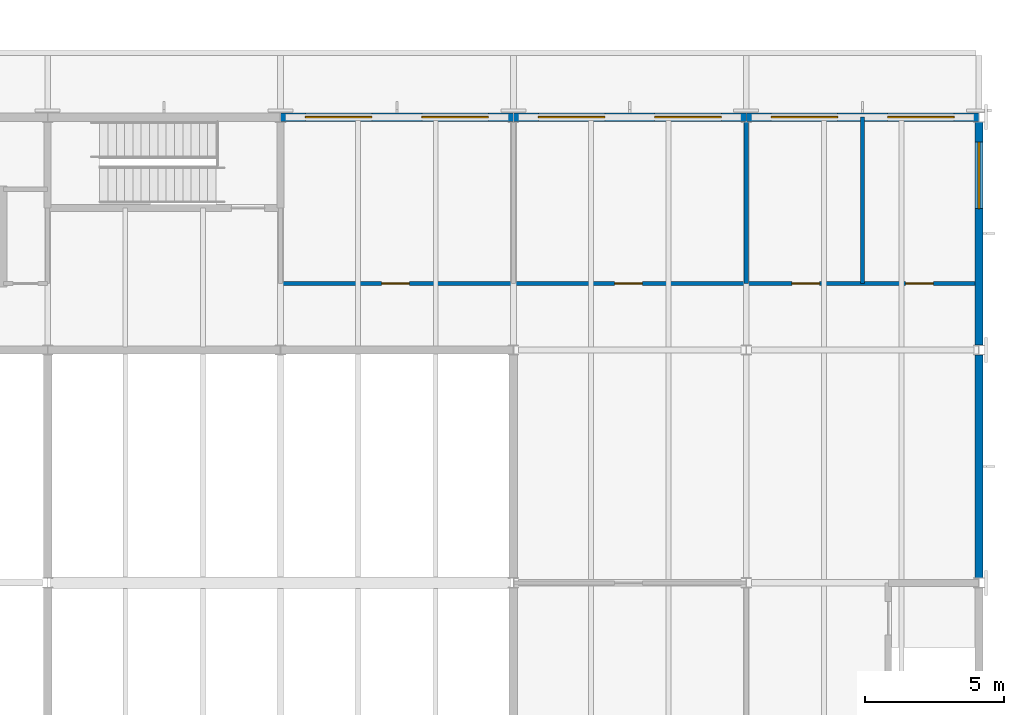
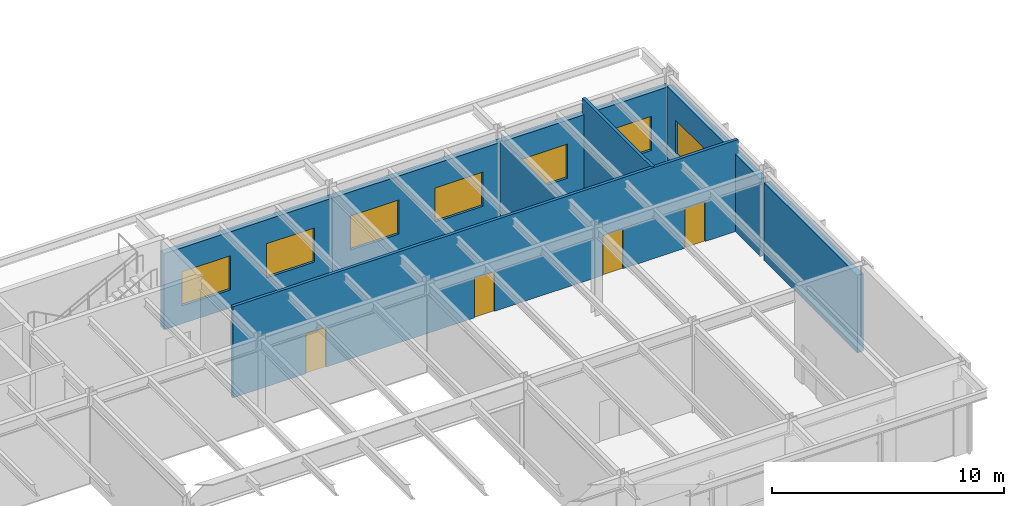
# One storey, part 81 of 116: 8 walls, 7 windows, 4 doors, 11 openings.
"""IFC4 building model written with IfcOpenShell, lengths in metres."""

from ifc_helpers import new_model, si_unit, direction, frame, frame_2d, origin, place, context, subcontext, project, spatial, rectangle, extrude, material, layer, layer_set, type_object, element, fill, save


model = new_model("IFC4")

# Units and contexts
model_context = context("Model", 3, precision=1e-05, world=origin(), true_north=direction((0.0, 1.0)))
body_context = subcontext(model_context, "Body", "Model", "MODEL_VIEW")
ifc_project = project(units=[si_unit("LENGTHUNIT", "METRE"), si_unit("AREAUNIT", "SQUARE_METRE"), si_unit("VOLUMEUNIT", "CUBIC_METRE"), si_unit("PLANEANGLEUNIT", "RADIAN"), si_unit("MASSUNIT", "GRAM", prefix="KILO")], contexts=[model_context])

# Site, building, storey
site_placement = place(None, origin())
site = spatial("IfcSite", under=ifc_project, at=site_placement, CompositionType="ELEMENT")
building_placement = place(site_placement, origin())
building = spatial("IfcBuilding", under=site, at=building_placement, Name="Ljudholm Concert House", CompositionType="ELEMENT")
storey_placement = place(building_placement, frame((0.0, 0.0, 10.199951171875)))
storey = spatial("IfcBuildingStorey", under=building, at=storey_placement, Name="L02", CompositionType="ELEMENT", Elevation=10.199951171875)

# Walls
ifc_material_1 = material(Name="Gypsum board on steel studs", Category="steel")
ifc_layer_1 = layer(ifc_material_1, 0.14990234375)
ifc_layer_set_1 = layer_set([ifc_layer_1], Name="Gypsum board on steel studs")
wall_type_1 = type_object("IfcWallType", Name="GYPSUM PARTITION 150", PredefinedType="PARTITIONING", material=ifc_layer_set_1)
wall_1_placement = place(storey_placement, frame((113.199951171875, 124.0, 0.0), z_axis=(0.0, 0.0, 1.0), x_axis=(0.0, 1.0, 0.0)))
element("IfcWall", 1, at=wall_1_placement, inside=storey, type_object=wall_type_1, Name="Partition", PredefinedType="PARTITIONING", context=body_context, shape_type="SweptSolid", body=[
    extrude(rectangle(XDim=5.822265625, YDim=0.14990234375, at=frame_2d((2.9111328125, 0.0))), origin(), (0.0, 0.0, 1.0), 4.086669921875),
])
wall_2_placement = place(storey_placement, frame((117.39990234375, 124.0, 0.0), z_axis=(0.0, 0.0, 1.0), x_axis=(0.0, 1.0, 0.0)))
element("IfcWall", 2, at=wall_2_placement, inside=storey, type_object=wall_type_1, Name="Partition", PredefinedType="PARTITIONING", context=body_context, shape_type="SweptSolid", body=[
    extrude(rectangle(XDim=6.0, YDim=0.14990234375, at=frame_2d((3.0, 0.0))), origin(), (0.0, 0.0, 1.0), 4.800048828125),
])

# Wall, openings, doors
wall_3_placement = place(storey_placement, frame((96.39990234375, 124.0, 0.0), z_axis=(0.0, 0.0, 1.0), x_axis=(1.0, 0.0, 0.0)))
wall_3 = element("IfcWall", 3, at=wall_3_placement, inside=storey, type_object=wall_type_1, Name="Partition", PredefinedType="PARTITIONING", context=body_context, shape_type="SweptSolid", body=[
    extrude(rectangle(XDim=25.2001953125, YDim=0.14990234375, at=frame_2d((12.60009765625, 0.0))), origin(), (0.0, 0.0, 1.0), 4.800048828125),
])
opening_1_placement = place(wall_3_placement, frame((3.64990234375, 0.0, 0.0)))
opening_1 = element("IfcOpeningElement", 4, at=opening_1_placement, cuts=wall_3, Name="Opening D-R02-013", PredefinedType="OPENING", context=body_context, shape_type="SweptSolid", body=[
    extrude(rectangle(XDim=1.0, YDim=2.10009765625, at=frame_2d((0.5, 1.050048828125))), frame((0.0, 0.0849609375, 0.0), z_axis=(0.0, -1.0, 0.0), x_axis=(1.0, 0.0, 0.0)), (0.0, 0.0, 1.0), 0.169921875),
])
opening_2_placement = place(wall_3_placement, frame((12.050048828125, 0.0, 0.0)))
opening_2 = element("IfcOpeningElement", 5, at=opening_2_placement, cuts=wall_3, Name="Opening D-R02-014", PredefinedType="OPENING", context=body_context, shape_type="SweptSolid", body=[
    extrude(rectangle(XDim=1.0, YDim=2.10009765625, at=frame_2d((0.5, 1.050048828125))), frame((0.0, 0.0849609375, 0.0), z_axis=(0.0, -1.0, 0.0), x_axis=(1.0, 0.0, 0.0)), (0.0, 0.0, 1.0), 0.169921875),
])
opening_3_placement = place(wall_3_placement, frame((18.449951171875, 0.0, 0.0)))
opening_3 = element("IfcOpeningElement", 6, at=opening_3_placement, cuts=wall_3, Name="Opening D-R02-015", PredefinedType="OPENING", context=body_context, shape_type="SweptSolid", body=[
    extrude(rectangle(XDim=1.0, YDim=2.10009765625, at=frame_2d((0.5, 1.050048828125))), frame((0.0, 0.0849609375, 0.0), z_axis=(0.0, -1.0, 0.0), x_axis=(1.0, 0.0, 0.0)), (0.0, 0.0, 1.0), 0.169921875),
])
opening_4_placement = place(wall_3_placement, frame((22.550048828125, 0.0, 0.0)))
opening_4 = element("IfcOpeningElement", 7, at=opening_4_placement, cuts=wall_3, Name="Opening D-R02-016", PredefinedType="OPENING", context=body_context, shape_type="SweptSolid", body=[
    extrude(rectangle(XDim=1.0, YDim=2.10009765625, at=frame_2d((0.5, 1.050048828125))), frame((0.0, 0.0849609375, 0.0), z_axis=(0.0, -1.0, 0.0), x_axis=(1.0, 0.0, 0.0)), (0.0, 0.0, 1.0), 0.169921875),
])
ifc_material_2 = material(Name="Hollow metal door in steel frame", Category="steel")
door_type = type_object("IfcDoorType", Name="SWING DOOR 1000x2100", OperationType="SINGLE_SWING_LEFT", PredefinedType="DOOR", material=ifc_material_2)
door_1_placement = place(opening_1_placement, origin())
door_1 = element("IfcDoor", 8, at=door_1_placement, inside=storey, type_object=door_type, Name="Door", OperationType="SINGLE_SWING_RIGHT", OverallHeight=2.10009765625, OverallWidth=1.0, PredefinedType="DOOR", context=body_context, shape_type="SweptSolid", body=[
    extrude(rectangle(XDim=1.0, YDim=2.10009765625, at=frame_2d((0.5, 1.050048828125))), frame((0.0, 0.02490234375, 0.0), z_axis=(0.0, -1.0, 0.0), x_axis=(1.0, 0.0, 0.0)), (0.0, 0.0, 1.0), 0.050048828125),
])
fill(opening_1, door_1)
door_2_placement = place(opening_2_placement, origin())
door_2 = element("IfcDoor", 9, at=door_2_placement, inside=storey, type_object=door_type, Name="Door", OperationType="SINGLE_SWING_LEFT", OverallHeight=2.10009765625, OverallWidth=1.0, PredefinedType="DOOR", context=body_context, shape_type="SweptSolid", body=[
    extrude(rectangle(XDim=1.0, YDim=2.10009765625, at=frame_2d((0.5, 1.050048828125))), frame((0.0, 0.02490234375, 0.0), z_axis=(0.0, -1.0, 0.0), x_axis=(1.0, 0.0, 0.0)), (0.0, 0.0, 1.0), 0.050048828125),
])
fill(opening_2, door_2)
door_3_placement = place(opening_3_placement, origin())
door_3 = element("IfcDoor", 10, at=door_3_placement, inside=storey, type_object=door_type, Name="Door", OperationType="SINGLE_SWING_RIGHT", OverallHeight=2.10009765625, OverallWidth=1.0, PredefinedType="DOOR", context=body_context, shape_type="SweptSolid", body=[
    extrude(rectangle(XDim=1.0, YDim=2.10009765625, at=frame_2d((0.5, 1.050048828125))), frame((0.0, 0.02490234375, 0.0), z_axis=(0.0, -1.0, 0.0), x_axis=(1.0, 0.0, 0.0)), (0.0, 0.0, 1.0), 0.050048828125),
])
fill(opening_3, door_3)
door_4_placement = place(opening_4_placement, origin())
door_4 = element("IfcDoor", 11, at=door_4_placement, inside=storey, type_object=door_type, Name="Door", OperationType="SINGLE_SWING_RIGHT", OverallHeight=2.10009765625, OverallWidth=1.0, PredefinedType="DOOR", context=body_context, shape_type="SweptSolid", body=[
    extrude(rectangle(XDim=1.0, YDim=2.10009765625, at=frame_2d((0.5, 1.050048828125))), frame((0.0, 0.02490234375, 0.0), z_axis=(0.0, -1.0, 0.0), x_axis=(1.0, 0.0, 0.0)), (0.0, 0.0, 1.0), 0.050048828125),
])
fill(opening_4, door_4)

# Wall
ifc_material_3 = material(Name="Precast concrete 5,000 psi", Category="concrete")
ifc_layer_2 = layer(ifc_material_3, 0.300048828125)
ifc_layer_set_2 = layer_set([ifc_layer_2], Name="Precast concrete 5,000 psi")
wall_type_2 = type_object("IfcWallType", Name="PRECAST PANEL WALL 300", PredefinedType="SOLIDWALL", material=ifc_layer_set_2)
wall_4_placement = place(storey_placement, frame((121.60009765625, 113.377685546875, 0.0), z_axis=(0.0, 0.0, 1.0), x_axis=(0.0, 1.0, 0.0)))
element("IfcWall", 12, at=wall_4_placement, inside=storey, type_object=wall_type_2, Name="Facade wall", PredefinedType="SOLIDWALL", context=body_context, shape_type="SweptSolid", body=[
    extrude(rectangle(XDim=8.04443359375, YDim=0.300048828125, at=frame_2d((4.022216796875, 0.0))), origin(), (0.0, 0.0, 1.0), 4.086669921875),
])

# Wall, opening, window
wall_5_placement = place(storey_placement, frame((121.60009765625, 121.77783203125, 0.0), z_axis=(0.0, 0.0, 1.0), x_axis=(0.0, 1.0, 0.0)))
wall_5 = element("IfcWall", 13, at=wall_5_placement, inside=storey, type_object=wall_type_2, Name="Facade wall", PredefinedType="SOLIDWALL", context=body_context, shape_type="SweptSolid", body=[
    extrude(rectangle(XDim=8.04443359375, YDim=0.300048828125, at=frame_2d((4.022216796875, 0.0))), origin(), (0.0, 0.0, 1.0), 4.086669921875),
])
opening_5_placement = place(wall_5_placement, frame((4.922119140625, 0.0, 0.949951171875)))
opening_5 = element("IfcOpeningElement", 14, at=opening_5_placement, cuts=wall_5, Name="Opening X-R02-010", PredefinedType="OPENING", context=body_context, shape_type="SweptSolid", body=[
    extrude(rectangle(XDim=2.39990234375, YDim=1.800048828125, at=frame_2d((1.199951171875, 0.89990234375))), frame((0.0, 0.159912109375, 0.0), z_axis=(0.0, -1.0, 0.0), x_axis=(1.0, 0.0, 0.0)), (0.0, 0.0, 1.0), 0.320068359375),
])
ifc_material_4 = material(Name="Aluminium frame, impact glazing", Category="aluminium")
window_type = type_object("IfcWindowType", Name="CASEMENT WINDOW 2400x1800", PartitioningType="DOUBLE_PANEL_VERTICAL", PredefinedType="WINDOW", material=ifc_material_4)
window_1_placement = place(opening_5_placement, origin())
window_1 = element("IfcWindow", 15, at=window_1_placement, inside=storey, type_object=window_type, Name="Window", OverallHeight=1.800048828125, OverallWidth=2.39990234375, PartitioningType="DOUBLE_PANEL_VERTICAL", PredefinedType="WINDOW", context=body_context, shape_type="SweptSolid", body=[
    extrude(rectangle(XDim=2.39990234375, YDim=1.800048828125, at=frame_2d((1.199951171875, 0.89990234375))), frame((0.0, 0.030029296875, 0.0), z_axis=(0.0, -1.0, 0.0), x_axis=(1.0, 0.0, 0.0)), (0.0, 0.0, 1.0), 0.06005859375),
])
fill(opening_5, window_1)

# Wall, openings, windows
wall_6_placement = place(storey_placement, frame((96.39453125, 130.0, 0.0), z_axis=(0.0, 0.0, 1.0), x_axis=(1.0, 0.0, 0.0)))
wall_6 = element("IfcWall", 16, at=wall_6_placement, inside=storey, type_object=wall_type_2, Name="Facade wall", PredefinedType="SOLIDWALL", context=body_context, shape_type="SweptSolid", body=[
    extrude(rectangle(XDim=8.4111328125, YDim=0.300048828125, at=frame_2d((4.20556640625, 0.0))), origin(), (0.0, 0.0, 1.0), 4.008056640625),
])
opening_6_placement = place(wall_6_placement, frame((0.905517578125, 0.0, 0.949951171875)))
opening_6 = element("IfcOpeningElement", 17, at=opening_6_placement, cuts=wall_6, Name="Opening X-R02-005", PredefinedType="OPENING", context=body_context, shape_type="SweptSolid", body=[
    extrude(rectangle(XDim=2.39990234375, YDim=1.800048828125, at=frame_2d((1.199951171875, 0.89990234375))), frame((0.0, 0.159912109375, 0.0), z_axis=(0.0, -1.0, 0.0), x_axis=(1.0, 0.0, 0.0)), (0.0, 0.0, 1.0), 0.320068359375),
])
opening_7_placement = place(wall_6_placement, frame((5.10546875, 0.0, 0.949951171875)))
opening_7 = element("IfcOpeningElement", 18, at=opening_7_placement, cuts=wall_6, Name="Opening X-R02-006", PredefinedType="OPENING", context=body_context, shape_type="SweptSolid", body=[
    extrude(rectangle(XDim=2.39990234375, YDim=1.800048828125, at=frame_2d((1.199951171875, 0.89990234375))), frame((0.0, 0.159912109375, 0.0), z_axis=(0.0, -1.0, 0.0), x_axis=(1.0, 0.0, 0.0)), (0.0, 0.0, 1.0), 0.320068359375),
])
window_2_placement = place(opening_6_placement, origin())
window_2 = element("IfcWindow", 19, at=window_2_placement, inside=storey, type_object=window_type, Name="Window", OverallHeight=1.800048828125, OverallWidth=2.39990234375, PartitioningType="DOUBLE_PANEL_VERTICAL", PredefinedType="WINDOW", context=body_context, shape_type="SweptSolid", body=[
    extrude(rectangle(XDim=2.39990234375, YDim=1.800048828125, at=frame_2d((1.199951171875, 0.89990234375))), frame((0.0, 0.030029296875, 0.0), z_axis=(0.0, -1.0, 0.0), x_axis=(1.0, 0.0, 0.0)), (0.0, 0.0, 1.0), 0.06005859375),
])
fill(opening_6, window_2)
window_3_placement = place(opening_7_placement, origin())
window_3 = element("IfcWindow", 20, at=window_3_placement, inside=storey, type_object=window_type, Name="Window", OverallHeight=1.800048828125, OverallWidth=2.39990234375, PartitioningType="DOUBLE_PANEL_VERTICAL", PredefinedType="WINDOW", context=body_context, shape_type="SweptSolid", body=[
    extrude(rectangle(XDim=2.39990234375, YDim=1.800048828125, at=frame_2d((1.199951171875, 0.89990234375))), frame((0.0, 0.030029296875, 0.0), z_axis=(0.0, -1.0, 0.0), x_axis=(1.0, 0.0, 0.0)), (0.0, 0.0, 1.0), 0.06005859375),
])
fill(opening_7, window_3)

wall_7_placement = place(storey_placement, frame((104.79443359375, 130.0, 0.0), z_axis=(0.0, 0.0, 1.0), x_axis=(1.0, 0.0, 0.0)))
wall_7 = element("IfcWall", 21, at=wall_7_placement, inside=storey, type_object=wall_type_2, Name="Facade wall", PredefinedType="SOLIDWALL", context=body_context, shape_type="SweptSolid", body=[
    extrude(rectangle(XDim=8.4111328125, YDim=0.300048828125, at=frame_2d((4.20556640625, 0.0))), origin(), (0.0, 0.0, 1.0), 4.008056640625),
])
opening_8_placement = place(wall_7_placement, frame((0.905517578125, 0.0, 0.949951171875)))
opening_8 = element("IfcOpeningElement", 22, at=opening_8_placement, cuts=wall_7, Name="Opening X-R02-007", PredefinedType="OPENING", context=body_context, shape_type="SweptSolid", body=[
    extrude(rectangle(XDim=2.39990234375, YDim=1.800048828125, at=frame_2d((1.199951171875, 0.89990234375))), frame((0.0, 0.159912109375, 0.0), z_axis=(0.0, -1.0, 0.0), x_axis=(1.0, 0.0, 0.0)), (0.0, 0.0, 1.0), 0.320068359375),
])
opening_9_placement = place(wall_7_placement, frame((5.10546875, 0.0, 0.949951171875)))
opening_9 = element("IfcOpeningElement", 23, at=opening_9_placement, cuts=wall_7, Name="Opening X-R02-008", PredefinedType="OPENING", context=body_context, shape_type="SweptSolid", body=[
    extrude(rectangle(XDim=2.39990234375, YDim=1.800048828125, at=frame_2d((1.199951171875, 0.89990234375))), frame((0.0, 0.159912109375, 0.0), z_axis=(0.0, -1.0, 0.0), x_axis=(1.0, 0.0, 0.0)), (0.0, 0.0, 1.0), 0.320068359375),
])
window_4_placement = place(opening_8_placement, origin())
window_4 = element("IfcWindow", 24, at=window_4_placement, inside=storey, type_object=window_type, Name="Window", OverallHeight=1.800048828125, OverallWidth=2.39990234375, PartitioningType="DOUBLE_PANEL_VERTICAL", PredefinedType="WINDOW", context=body_context, shape_type="SweptSolid", body=[
    extrude(rectangle(XDim=2.39990234375, YDim=1.800048828125, at=frame_2d((1.199951171875, 0.89990234375))), frame((0.0, 0.030029296875, 0.0), z_axis=(0.0, -1.0, 0.0), x_axis=(1.0, 0.0, 0.0)), (0.0, 0.0, 1.0), 0.06005859375),
])
fill(opening_8, window_4)
window_5_placement = place(opening_9_placement, origin())
window_5 = element("IfcWindow", 25, at=window_5_placement, inside=storey, type_object=window_type, Name="Window", OverallHeight=1.800048828125, OverallWidth=2.39990234375, PartitioningType="DOUBLE_PANEL_VERTICAL", PredefinedType="WINDOW", context=body_context, shape_type="SweptSolid", body=[
    extrude(rectangle(XDim=2.39990234375, YDim=1.800048828125, at=frame_2d((1.199951171875, 0.89990234375))), frame((0.0, 0.030029296875, 0.0), z_axis=(0.0, -1.0, 0.0), x_axis=(1.0, 0.0, 0.0)), (0.0, 0.0, 1.0), 0.06005859375),
])
fill(opening_9, window_5)

wall_8_placement = place(storey_placement, frame((113.1943359375, 130.0, 0.0), z_axis=(0.0, 0.0, 1.0), x_axis=(1.0, 0.0, 0.0)))
wall_8 = element("IfcWall", 26, at=wall_8_placement, inside=storey, type_object=wall_type_2, Name="Facade wall", PredefinedType="SOLIDWALL", context=body_context, shape_type="SweptSolid", body=[
    extrude(rectangle(XDim=8.400146484375, YDim=0.300048828125, at=frame_2d((4.2001953125, 0.0))), origin(), (0.0, 0.0, 1.0), 4.008056640625),
])
opening_10_placement = place(wall_8_placement, frame((0.905517578125, 0.0, 0.949951171875)))
opening_10 = element("IfcOpeningElement", 27, at=opening_10_placement, cuts=wall_8, Name="Opening X-R02-009", PredefinedType="OPENING", context=body_context, shape_type="SweptSolid", body=[
    extrude(rectangle(XDim=2.39990234375, YDim=1.800048828125, at=frame_2d((1.199951171875, 0.89990234375))), frame((0.0, 0.159912109375, 0.0), z_axis=(0.0, -1.0, 0.0), x_axis=(1.0, 0.0, 0.0)), (0.0, 0.0, 1.0), 0.320068359375),
])
opening_11_placement = place(wall_8_placement, frame((5.10546875, 0.0, 0.949951171875)))
opening_11 = element("IfcOpeningElement", 28, at=opening_11_placement, cuts=wall_8, Name="Opening X-R02-011", PredefinedType="OPENING", context=body_context, shape_type="SweptSolid", body=[
    extrude(rectangle(XDim=2.39990234375, YDim=1.800048828125, at=frame_2d((1.199951171875, 0.89990234375))), frame((0.0, 0.159912109375, 0.0), z_axis=(0.0, -1.0, 0.0), x_axis=(1.0, 0.0, 0.0)), (0.0, 0.0, 1.0), 0.320068359375),
])
window_6_placement = place(opening_10_placement, origin())
window_6 = element("IfcWindow", 29, at=window_6_placement, inside=storey, type_object=window_type, Name="Window", OverallHeight=1.800048828125, OverallWidth=2.39990234375, PartitioningType="DOUBLE_PANEL_VERTICAL", PredefinedType="WINDOW", context=body_context, shape_type="SweptSolid", body=[
    extrude(rectangle(XDim=2.39990234375, YDim=1.800048828125, at=frame_2d((1.199951171875, 0.89990234375))), frame((0.0, 0.030029296875, 0.0), z_axis=(0.0, -1.0, 0.0), x_axis=(1.0, 0.0, 0.0)), (0.0, 0.0, 1.0), 0.06005859375),
])
fill(opening_10, window_6)
window_7_placement = place(opening_11_placement, origin())
window_7 = element("IfcWindow", 30, at=window_7_placement, inside=storey, type_object=window_type, Name="Window", OverallHeight=1.800048828125, OverallWidth=2.39990234375, PartitioningType="DOUBLE_PANEL_VERTICAL", PredefinedType="WINDOW", context=body_context, shape_type="SweptSolid", body=[
    extrude(rectangle(XDim=2.39990234375, YDim=1.800048828125, at=frame_2d((1.199951171875, 0.89990234375))), frame((0.0, 0.030029296875, 0.0), z_axis=(0.0, -1.0, 0.0), x_axis=(1.0, 0.0, 0.0)), (0.0, 0.0, 1.0), 0.06005859375),
])
fill(opening_11, window_7)

save(model, "model.ifc")
